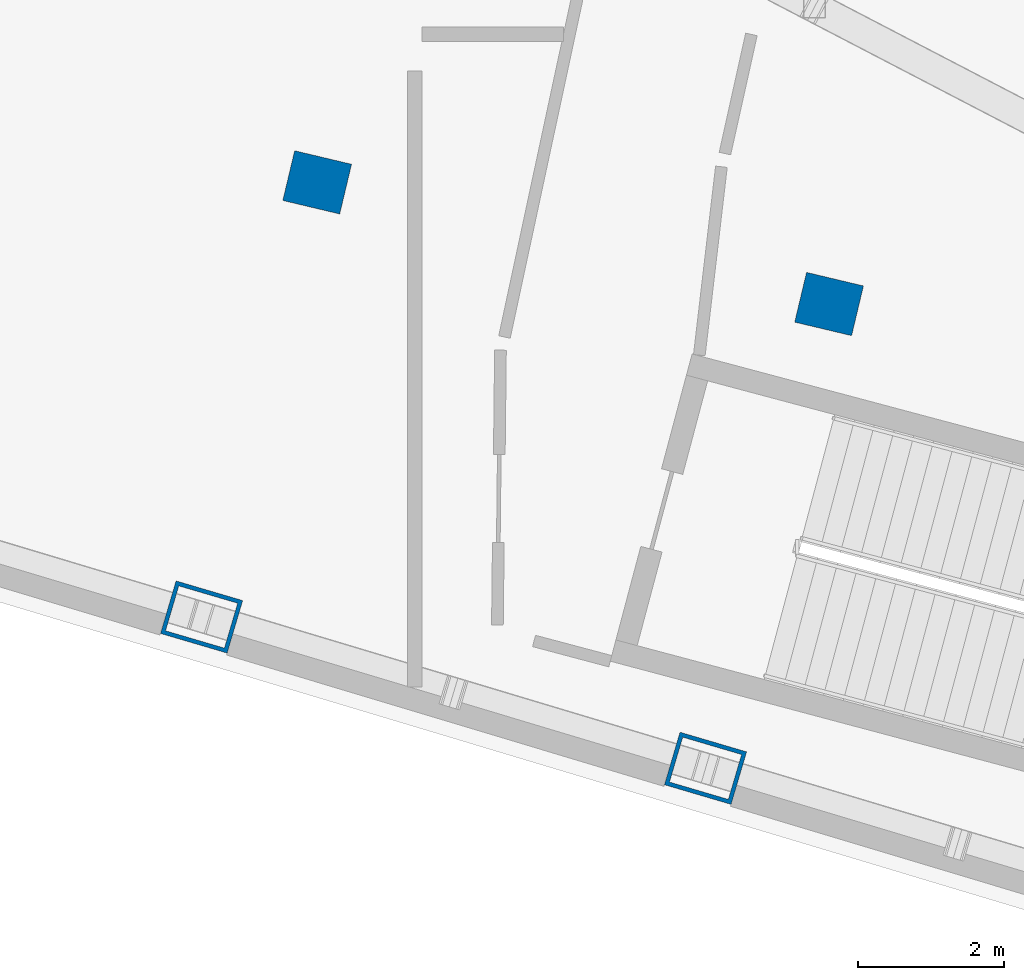
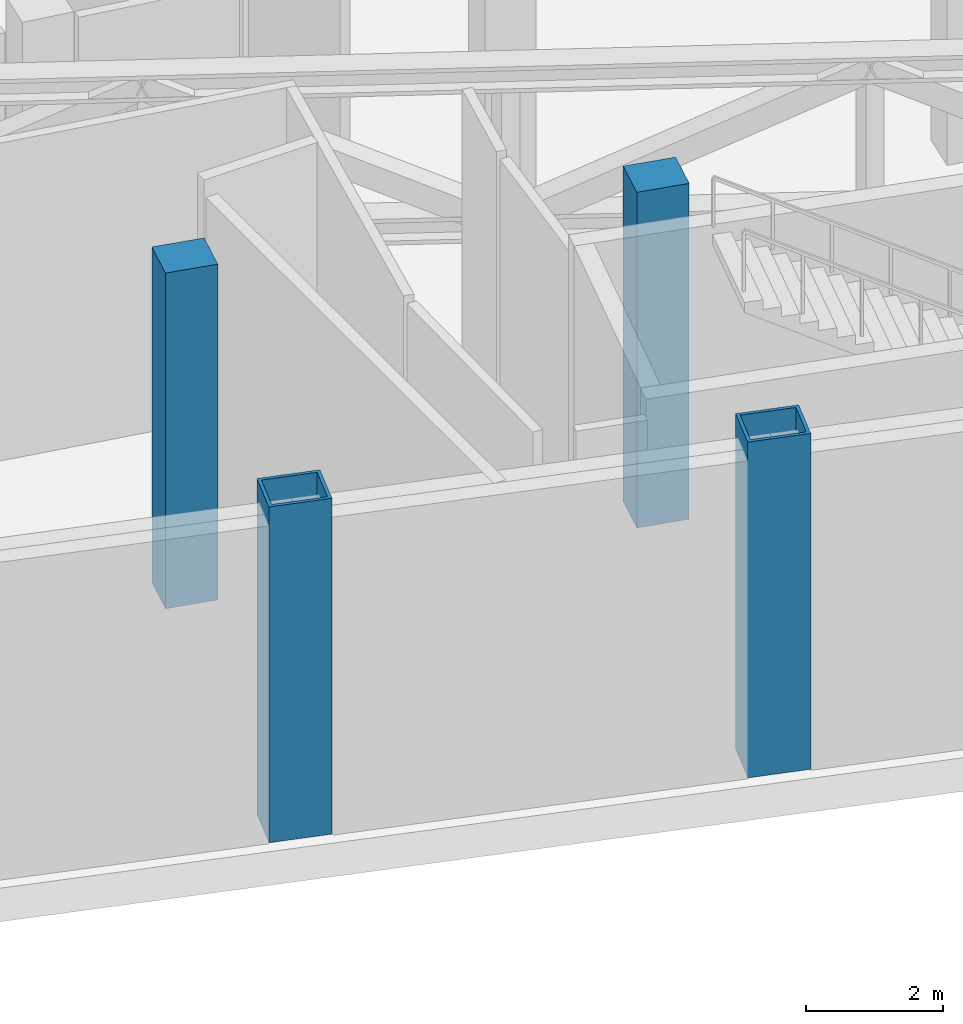
# One storey, part 2 of 23: 4 columns.
"""IFC4 building model written with IfcOpenShell, lengths in metres."""

from ifc_helpers import new_model, si_unit, direction, frame, origin, origin_2d, place, context, subcontext, project, spatial, rectangle, hollow_rectangle, extrude, material, material_profile, profile_set, type_object, element, save


model = new_model("IFC4")

# Units and contexts
model_context = context("Model", 3, precision=1e-05, world=origin(), true_north=direction((0.0, 1.0)))
body_context = subcontext(model_context, "Body", "Model", "MODEL_VIEW")
ifc_project = project(units=[si_unit("LENGTHUNIT", "METRE"), si_unit("AREAUNIT", "SQUARE_METRE"), si_unit("VOLUMEUNIT", "CUBIC_METRE"), si_unit("PLANEANGLEUNIT", "RADIAN"), si_unit("MASSUNIT", "GRAM", prefix="KILO")], contexts=[model_context])

# Site, building, storey
site_placement = place(None, origin())
site = spatial("IfcSite", under=ifc_project, at=site_placement, CompositionType="ELEMENT")
building_placement = place(site_placement, origin())
building = spatial("IfcBuilding", under=site, at=building_placement, Name="Alderwake Tower", CompositionType="ELEMENT")
storey_placement = place(building_placement, frame((0.0, 0.0, 239.60009765625)))
storey = spatial("IfcBuildingStorey", under=building, at=storey_placement, Name="L59", CompositionType="ELEMENT", Elevation=239.60009765625)

# Columns
ifc_material_1 = material(Name="Steel ASTM A572 Grade 50 concrete filled C70/85", Category="concrete")
ifc_material_profile_1 = material_profile(ifc_material_1, hollow_rectangle(XDim=0.75, YDim=0.949951171875, WallThickness=0.054931640625, at=origin_2d()), Name="BOX 950X750X55")
ifc_profile_set_1 = profile_set([ifc_material_profile_1], Name="Steel ASTM A572 Grade 50 concrete filled C70/85")
column_type_1 = type_object("IfcColumnType", Name="End column Z4", PredefinedType="COLUMN", material=ifc_profile_set_1)
for number, where, z_axis, x_axis, name in (
    (1, (31.080322265625, 28.27685546875, 0.0), (0.0, 0.0, 1.0), (0.282582549822, 0.959242984095, 0.0), "Column R02-C2"),
    (2, (37.976318359375, 26.20654296875, 0.0), (0.0, 0.0, 1.0), (0.282873846689, 0.959157123134, 0.0), "Column R02-C3"),
):
    element("IfcColumn", number, at=place(storey_placement, frame(where, z_axis=z_axis, x_axis=x_axis)), inside=storey, type_object=column_type_1, Name=name, PredefinedType="COLUMN", context=body_context, shape_type="SweptSolid", body=[
        extrude(hollow_rectangle(XDim=0.75, YDim=0.949951171875, WallThickness=0.054931640625, at=origin_2d()), origin(), (0.0, 0.0, 1.0), 6.0),
    ])
ifc_material_2 = material(Name="Concrete C70/85", Category="concrete")
ifc_material_profile_2 = material_profile(ifc_material_2, rectangle(XDim=0.699951171875, YDim=0.800048828125, at=origin_2d()), Name="RC 800X700")
ifc_profile_set_2 = profile_set([ifc_material_profile_2], Name="Concrete C70/85")
column_type_2 = type_object("IfcColumnType", Name="Interior column Z4", PredefinedType="COLUMN", material=ifc_profile_set_2)
for number, where, z_axis, x_axis, name in (
    (3, (32.661865234375, 34.224609375, 0.0), (0.0, 0.0, 1.0), (0.231221547198, 0.972901123502, 0.0), "Column R03-C2"),
    (4, (39.666748046875, 32.559814453125, 0.0), (0.0, 0.0, 1.0), (0.231221547198, 0.972901123502, 0.0), "Column R03-C3"),
):
    element("IfcColumn", number, at=place(storey_placement, frame(where, z_axis=z_axis, x_axis=x_axis)), inside=storey, type_object=column_type_2, Name=name, PredefinedType="COLUMN", context=body_context, shape_type="SweptSolid", body=[
        extrude(rectangle(XDim=0.699951171875, YDim=0.800048828125, at=origin_2d()), origin(), (0.0, 0.0, 1.0), 6.0),
    ])

save(model, "model.ifc")
